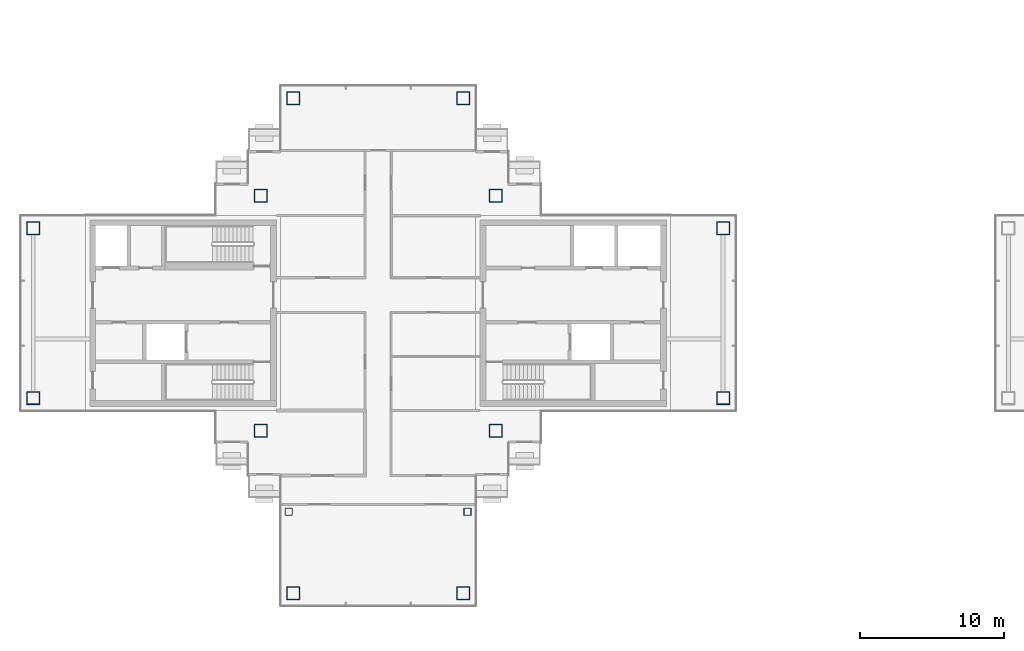
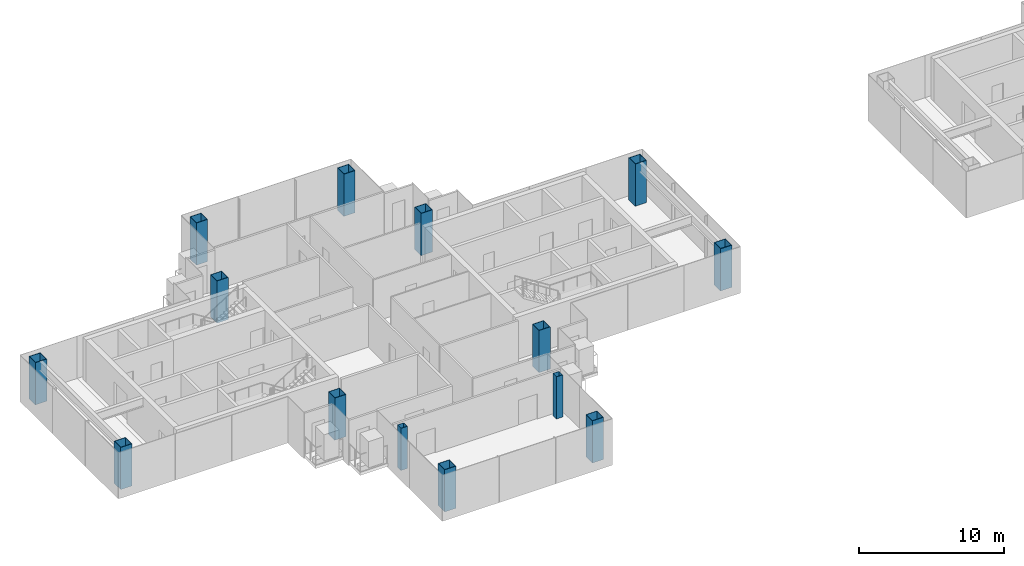
# One storey, part 1 of 16: 14 columns.
"""IFC4 building model written with IfcOpenShell, lengths in metres."""

from ifc_helpers import new_model, si_unit, direction, frame, origin, origin_2d, place, context, subcontext, project, spatial, hollow_rectangle, extrude, material, material_profile, profile_set, type_object, element, save


model = new_model("IFC4")

# Units and contexts
model_context = context("Model", 3, precision=1e-05, world=origin(), true_north=direction((0.0, 1.0)))
body_context = subcontext(model_context, "Body", "Model", "MODEL_VIEW")
ifc_project = project(units=[si_unit("LENGTHUNIT", "METRE"), si_unit("AREAUNIT", "SQUARE_METRE"), si_unit("VOLUMEUNIT", "CUBIC_METRE"), si_unit("PLANEANGLEUNIT", "RADIAN"), si_unit("MASSUNIT", "GRAM", prefix="KILO")], contexts=[model_context])

# Site, building, storey
site_placement = place(None, origin())
site = spatial("IfcSite", under=ifc_project, at=site_placement, CompositionType="ELEMENT")
building_placement = place(site_placement, origin())
building = spatial("IfcBuilding", under=site, at=building_placement, Name="Shamsa Quay Exchange Towers", CompositionType="ELEMENT")
storey_placement = place(building_placement, frame((0.0, 0.0, 261.60009765625)))
storey = spatial("IfcBuildingStorey", under=building, at=storey_placement, Name="L63", CompositionType="ELEMENT", Elevation=261.60009765625)

# Columns
ifc_material_1 = material(Name="Concrete-filled steel tube S355 / C60/75", Category="concrete")
ifc_material_profile_1 = material_profile(ifc_material_1, hollow_rectangle(XDim=0.5, YDim=0.5, WallThickness=0.01611328125, at=origin_2d()), Name="CFT 500x500x16")
ifc_profile_set_1 = profile_set([ifc_material_profile_1], Name="Concrete-filled steel tube S355 / C60/75")
column_type_1 = type_object("IfcColumnType", Name="Column CFT 500x500x16", PredefinedType="COLUMN", material=ifc_profile_set_1)
for number, where, name in (
    (1, (-39.9375, -13.75, 0.0), "Perimeter column T1-CP19"),
    (2, (-27.5625, -13.75, 0.0), "Perimeter column T1-CP22"),
):
    element("IfcColumn", number, at=place(storey_placement, frame(where)), inside=storey, type_object=column_type_1, Name=name, PredefinedType="COLUMN", context=body_context, shape_type="SweptSolid", body=[
        extrude(hollow_rectangle(XDim=0.5, YDim=0.5, WallThickness=0.01611328125, at=origin_2d()), origin(), (0.0, 0.0, 1.0), 3.5498046875),
    ])
ifc_material_2 = material(Name="Concrete-filled steel tube S355 / C80/95", Category="concrete")
ifc_material_profile_2 = material_profile(ifc_material_2, hollow_rectangle(XDim=0.89990234375, YDim=0.89990234375, WallThickness=0.035888671875, at=origin_2d()), Name="CFT 900x900x36")
ifc_profile_set_2 = profile_set([ifc_material_profile_2], Name="Concrete-filled steel tube S355 / C80/95")
column_type_2 = type_object("IfcColumnType", Name="Column CFT 900x900x36", PredefinedType="COLUMN", material=ifc_profile_set_2)
for number, where, name in (
    (3, (-25.625, 8.125, 0.0), "Mega column T1-CM01"),
    (4, (-25.625, -8.125, 0.0), "Mega column T1-CM02"),
    (5, (-41.875, 8.125, 0.0), "Mega column T1-CM03"),
    (6, (-41.875, -8.125, 0.0), "Mega column T1-CM04"),
    (7, (-9.875, -5.875, 0.0), "Mega column T1-CM05"),
    (8, (-9.875, 5.875, 0.0), "Mega column T1-CM07"),
    (9, (-57.625, -5.875, 0.0), "Mega column T1-CM09"),
    (10, (-57.625, 5.875, 0.0), "Mega column T1-CM11"),
    (11, (-39.625, 14.875, 0.0), "Mega column T1-CM13"),
    (12, (-27.875, 14.875, 0.0), "Mega column T1-CM16"),
    (13, (-39.625, -19.375, 0.0), "Mega column T1-CM20"),
    (14, (-27.875, -19.375, 0.0), "Mega column T1-CM23"),
):
    element("IfcColumn", number, at=place(storey_placement, frame(where)), inside=storey, type_object=column_type_2, Name=name, PredefinedType="COLUMN", context=body_context, shape_type="SweptSolid", body=[
        extrude(hollow_rectangle(XDim=0.89990234375, YDim=0.89990234375, WallThickness=0.035888671875, at=origin_2d()), origin(), (0.0, 0.0, 1.0), 3.5498046875),
    ])

save(model, "model.ifc")
